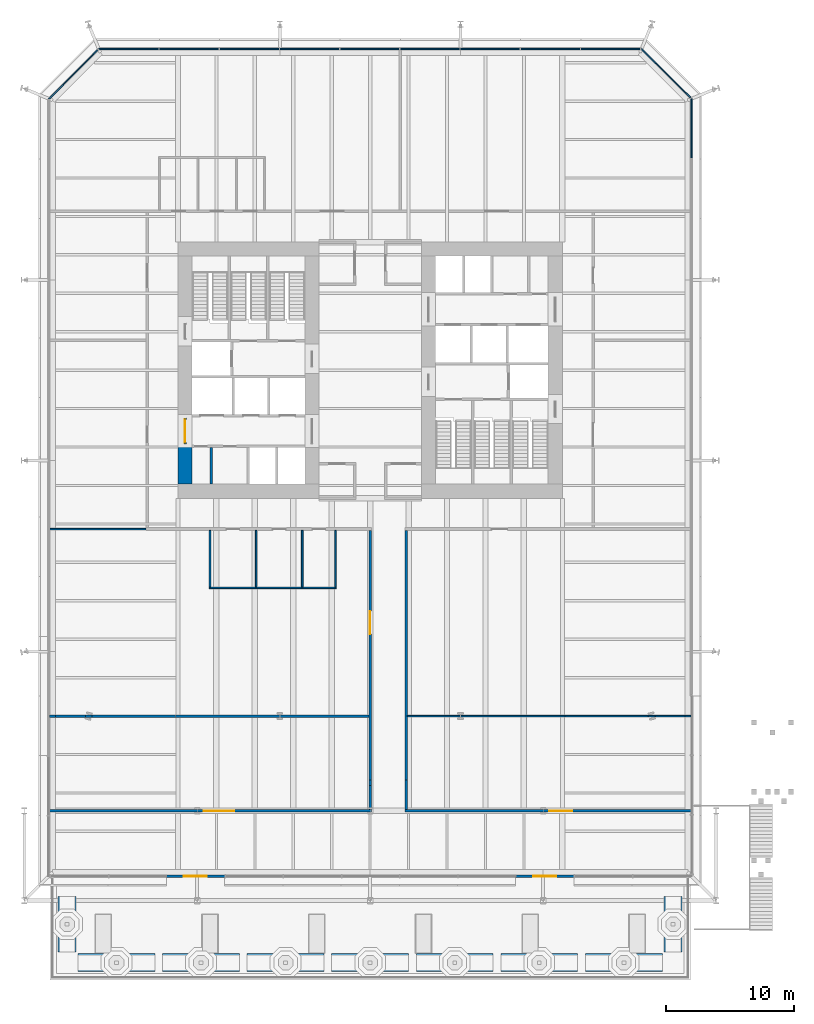
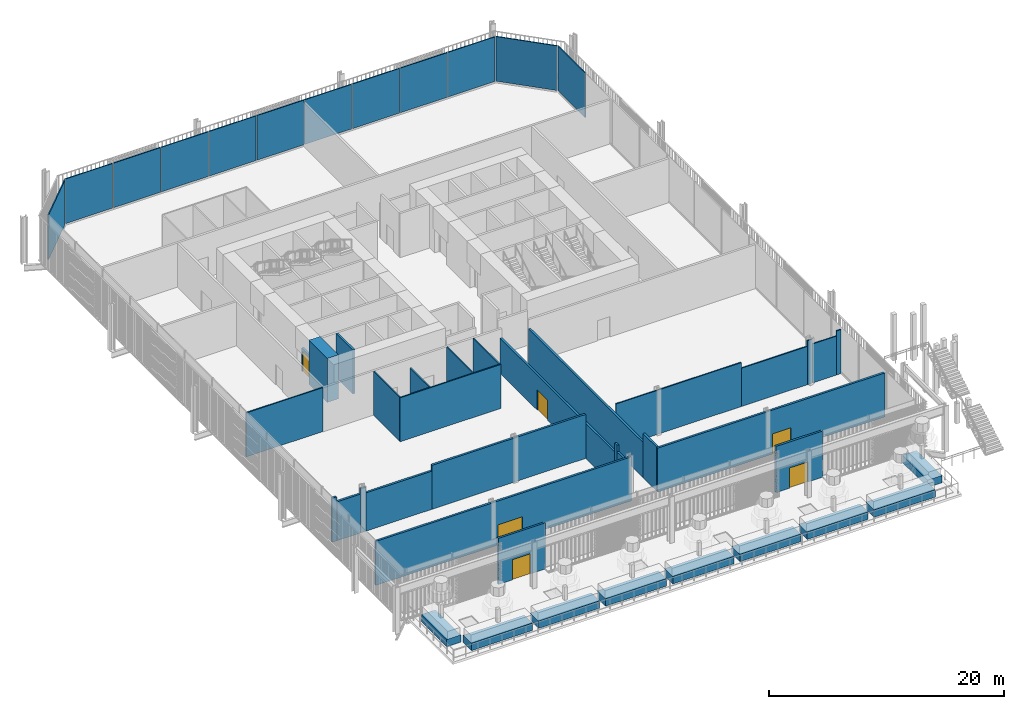
# One storey, part 18 of 25: 37 walls, 12 plates, 6 doors, 6 openings, 4 elements without a shape of their own.
"""IFC4 building model written with IfcOpenShell, lengths in metres."""

from ifc_helpers import new_model, si_unit, direction, frame, frame_2d, origin, place, context, subcontext, project, spatial, polyline, rectangle, outline, extrude, material, layer, layer_set, type_object, element, fill, aggregate, save


model = new_model("IFC4")

# Units and contexts
model_context = context("Model", 3, precision=1e-05, world=origin(), true_north=direction((0.0, 1.0)))
body_context = subcontext(model_context, "Body", "Model", "MODEL_VIEW")
ifc_project = project(units=[si_unit("LENGTHUNIT", "METRE"), si_unit("AREAUNIT", "SQUARE_METRE"), si_unit("VOLUMEUNIT", "CUBIC_METRE"), si_unit("PLANEANGLEUNIT", "RADIAN"), si_unit("MASSUNIT", "GRAM", prefix="KILO")], contexts=[model_context])

# Site, building, storey
site_placement = place(None, origin())
site = spatial("IfcSite", under=ifc_project, at=site_placement, CompositionType="ELEMENT")
building_placement = place(site_placement, origin())
building = spatial("IfcBuilding", under=site, at=building_placement, Name="Millrace Tower", CompositionType="ELEMENT")
storey_placement = place(building_placement, frame((0.0, 0.0, 6.5)))
storey = spatial("IfcBuildingStorey", under=building, at=storey_placement, Name="L02", CompositionType="ELEMENT", Elevation=6.5)

# Curtain wall, plate
ifc_material_1 = material(Name="Aluminium and glass", Category="aluminium")
ifc_layer_1 = layer(ifc_material_1, 0.14990234375)
ifc_layer_set_1 = layer_set([ifc_layer_1], Name="Aluminium and glass")
curtain_wall_type = type_object("IfcCurtainWallType", Name="CW-2 data hall insulated curtain wall", PredefinedType="NOTDEFINED", material=ifc_layer_set_1)
placement_1 = place(storey_placement, origin())
curtain_wall_1 = element("IfcCurtainWall", 1, at=placement_1, inside=storey, type_object=curtain_wall_type, Name="Curtain wall AW2-F02 L02 CW2", PredefinedType="NOTDEFINED")
ifc_material_2 = material(Name="Glass", Category="glass")
ifc_layer_2 = layer(ifc_material_2, 0.10009765625)
ifc_layer_set_2 = layer_set([ifc_layer_2], Name="Glass")
plate_type = type_object("IfcPlateType", Name="CW-2 data hall insulated curtain wall insulated cassette with vision slot", PredefinedType="CURTAIN_PANEL", material=ifc_layer_set_2)
placement_2 = place(storey_placement, frame((0.0, 0.0, 0.159912109375)))
plate_1 = element("IfcPlate", 2, at=placement_2, type_object=plate_type, Name="CW2 panel AW2-F02.13", PredefinedType="CURTAIN_PANEL", context=body_context, shape_type="SweptSolid", body=[
    extrude(outline(polyline([(25.125, 16.557373046875), (25.125, 21.20166015625), (25.02490234375, 21.160400390625), (25.02490234375, 16.557373046875), (25.125, 16.557373046875)])), origin(), (0.0, 0.0, 1.0), 4.64013671875),
])
aggregate(curtain_wall_1, [plate_1])

curtain_wall_2 = element("IfcCurtainWall", 3, at=placement_1, inside=storey, type_object=curtain_wall_type, Name="Curtain wall AW2-F03 L02", PredefinedType="NOTDEFINED")
plate_2 = element("IfcPlate", 4, at=placement_2, type_object=plate_type, Name="CW2 panel AW2-F03.1", PredefinedType="CURTAIN_PANEL", context=body_context, shape_type="SweptSolid", body=[
    extrude(outline(polyline([(25.04248046875, 21.284423828125), (21.20166015625, 25.125), (21.160400390625, 25.02490234375), (24.9716796875, 21.213623046875), (25.04248046875, 21.284423828125)])), origin(), (0.0, 0.0, 1.0), 4.64013671875),
])
aggregate(curtain_wall_2, [plate_2])

# Curtain wall, plates
curtain_wall_3 = element("IfcCurtainWall", 5, at=placement_1, inside=storey, type_object=curtain_wall_type, Name="Curtain wall AW2-F04 L02", PredefinedType="NOTDEFINED")
plate_3 = element("IfcPlate", 6, at=placement_2, type_object=plate_type, Name="CW2 panel AW2-F04.1", PredefinedType="CURTAIN_PANEL", context=body_context, shape_type="SweptSolid", body=[
    extrude(outline(polyline([(21.0849609375, 25.125), (16.449951171875, 25.125), (16.449951171875, 25.02490234375), (21.0849609375, 25.02490234375), (21.0849609375, 25.125)])), origin(), (0.0, 0.0, 1.0), 4.64013671875),
])
plate_4 = element("IfcPlate", 7, at=placement_2, type_object=plate_type, Name="CW2 panel AW2-F04.2", PredefinedType="CURTAIN_PANEL", context=body_context, shape_type="SweptSolid", body=[
    extrude(outline(polyline([(16.385009765625, 25.125), (11.75, 25.125), (11.75, 25.02490234375), (16.385009765625, 25.02490234375), (16.385009765625, 25.125)])), origin(), (0.0, 0.0, 1.0), 4.64013671875),
])
plate_5 = element("IfcPlate", 8, at=placement_2, type_object=plate_type, Name="CW2 panel AW2-F04.3", PredefinedType="CURTAIN_PANEL", context=body_context, shape_type="SweptSolid", body=[
    extrude(outline(polyline([(11.68505859375, 25.125), (7.050048828125, 25.125), (7.050048828125, 25.02490234375), (11.68505859375, 25.02490234375), (11.68505859375, 25.125)])), origin(), (0.0, 0.0, 1.0), 4.64013671875),
])
plate_6 = element("IfcPlate", 9, at=placement_2, type_object=plate_type, Name="CW2 panel AW2-F04.4", PredefinedType="CURTAIN_PANEL", context=body_context, shape_type="SweptSolid", body=[
    extrude(outline(polyline([(6.985107421875, 25.125), (2.35009765625, 25.125), (2.35009765625, 25.02490234375), (6.985107421875, 25.02490234375), (6.985107421875, 25.125)])), origin(), (0.0, 0.0, 1.0), 4.64013671875),
])
plate_7 = element("IfcPlate", 10, at=placement_2, type_object=plate_type, Name="CW2 panel AW2-F04.5", PredefinedType="CURTAIN_PANEL", context=body_context, shape_type="SweptSolid", body=[
    extrude(outline(polyline([(2.284912109375, 25.125), (-2.35009765625, 25.125), (-2.35009765625, 25.02490234375), (2.284912109375, 25.02490234375), (2.284912109375, 25.125)])), origin(), (0.0, 0.0, 1.0), 4.64013671875),
])
plate_8 = element("IfcPlate", 11, at=placement_2, type_object=plate_type, Name="CW2 panel AW2-F04.6", PredefinedType="CURTAIN_PANEL", context=body_context, shape_type="SweptSolid", body=[
    extrude(outline(polyline([(-2.4150390625, 25.125), (-7.050048828125, 25.125), (-7.050048828125, 25.02490234375), (-2.4150390625, 25.02490234375), (-2.4150390625, 25.125)])), origin(), (0.0, 0.0, 1.0), 4.64013671875),
])
plate_9 = element("IfcPlate", 12, at=placement_2, type_object=plate_type, Name="CW2 panel AW2-F04.7", PredefinedType="CURTAIN_PANEL", context=body_context, shape_type="SweptSolid", body=[
    extrude(outline(polyline([(-7.114990234375, 25.125), (-11.75, 25.125), (-11.75, 25.02490234375), (-7.114990234375, 25.02490234375), (-7.114990234375, 25.125)])), origin(), (0.0, 0.0, 1.0), 4.64013671875),
])
plate_10 = element("IfcPlate", 13, at=placement_2, type_object=plate_type, Name="CW2 panel AW2-F04.8", PredefinedType="CURTAIN_PANEL", context=body_context, shape_type="SweptSolid", body=[
    extrude(outline(polyline([(-11.81494140625, 25.125), (-16.449951171875, 25.125), (-16.449951171875, 25.02490234375), (-11.81494140625, 25.02490234375), (-11.81494140625, 25.125)])), origin(), (0.0, 0.0, 1.0), 4.64013671875),
])
plate_11 = element("IfcPlate", 14, at=placement_2, type_object=plate_type, Name="CW2 panel AW2-F04.9", PredefinedType="CURTAIN_PANEL", context=body_context, shape_type="SweptSolid", body=[
    extrude(outline(polyline([(-16.514892578125, 25.125), (-21.20166015625, 25.125), (-21.160400390625, 25.02490234375), (-16.514892578125, 25.02490234375), (-16.514892578125, 25.125)])), origin(), (0.0, 0.0, 1.0), 4.64013671875),
])
aggregate(curtain_wall_3, [plate_3, plate_4, plate_5, plate_6, plate_7, plate_8, plate_9, plate_10, plate_11])

# Curtain wall, plate
curtain_wall_4 = element("IfcCurtainWall", 15, at=placement_1, inside=storey, type_object=curtain_wall_type, Name="Curtain wall AW2-F05 L02", PredefinedType="NOTDEFINED")
plate_12 = element("IfcPlate", 16, at=placement_2, type_object=plate_type, Name="CW2 panel AW2-F05.1", PredefinedType="CURTAIN_PANEL", context=body_context, shape_type="SweptSolid", body=[
    extrude(outline(polyline([(-21.284423828125, 25.04248046875), (-25.125, 21.20166015625), (-25.02490234375, 21.160400390625), (-21.213623046875, 24.9716796875), (-21.284423828125, 25.04248046875)])), origin(), (0.0, 0.0, 1.0), 4.64013671875),
])
aggregate(curtain_wall_4, [plate_12])

# Wall
ifc_material_3 = material(Name="Concrete C80", Category="concrete")
ifc_layer_3 = layer(ifc_material_3, 1.10009765625)
ifc_layer_set_3 = layer_set([ifc_layer_3], Name="Concrete C80")
wall_type_1 = type_object("IfcWallType", Name="Core wall 1100 Concrete C80", PredefinedType="SHEAR", material=ifc_layer_set_3)
wall_1_placement = place(storey_placement, frame((-14.449951171875, -8.89990234375, 0.0), z_axis=(0.0, 0.0, 1.0), x_axis=(0.0, 1.0, 0.0)))
element("IfcWall", 17, at=wall_1_placement, inside=storey, type_object=wall_type_1, Name="Core wall W L02", PredefinedType="SHEAR", context=body_context, shape_type="SweptSolid", body=[
    extrude(rectangle(XDim=3.14990234375, YDim=1.10009765625, at=frame_2d((1.574951171875, 0.0))), origin(), (0.0, 0.0, 1.0), 4.574951171875),
])

# Wall, opening, door
ifc_material_4 = material(Name="Masonry partition, fire-rated", Category="masonry")
ifc_layer_4 = layer(ifc_material_4, 0.199951171875)
ifc_layer_set_4 = layer_set([ifc_layer_4], Name="Masonry partition, fire-rated")
wall_type_2 = type_object("IfcWallType", Name="Corridor wall 200", PredefinedType="PARTITIONING", material=ifc_layer_set_4)
wall_2_placement = place(storey_placement, frame((-25.030029296875, -34.39990234375, 0.0), z_axis=(0.0, 0.0, 1.0), x_axis=(1.0, 0.0, 0.0)))
wall_2 = element("IfcWall", 18, at=wall_2_placement, inside=storey, type_object=wall_type_2, Name="Corridor wall L02", PredefinedType="PARTITIONING", context=body_context, shape_type="SweptSolid", body=[
    extrude(rectangle(XDim=25.130126953125, YDim=0.199951171875, at=frame_2d((12.56494140625, 0.0))), origin(), (0.0, 0.0, 1.0), 4.574951171875),
])
opening_1_placement = place(wall_2_placement, frame((12.0400390625, 0.0, 0.0)))
opening_1 = element("IfcOpeningElement", 19, at=opening_1_placement, cuts=wall_2, Name="Opening 02-P014", PredefinedType="OPENING", context=body_context, shape_type="SweptSolid", body=[
    extrude(rectangle(XDim=2.39990234375, YDim=2.10009765625, at=frame_2d((1.199951171875, 1.050048828125))), frame((0.0, 0.10986328125, 0.0), z_axis=(0.0, -1.0, 0.0), x_axis=(1.0, 0.0, 0.0)), (0.0, 0.0, 1.0), 0.219970703125),
])
ifc_material_5 = material(Name="Steel door set, fire-rated", Category="steel")
door_type_1 = type_object("IfcDoorType", Name="Corridor door 2400 x 2100", OperationType="DOUBLE_DOOR_SINGLE_SWING", PredefinedType="DOOR", material=ifc_material_5)
door_1_placement = place(opening_1_placement, frame((2.39990234375, 0.0, 0.0), z_axis=(0.0, 0.0, 1.0), x_axis=(-1.0, 0.0, 0.0)))
door_1 = element("IfcDoor", 20, at=door_1_placement, inside=storey, type_object=door_type_1, Name="Door 02-P014", OperationType="DOUBLE_DOOR_SINGLE_SWING", OverallHeight=2.10009765625, OverallWidth=2.39990234375, PredefinedType="DOOR", context=body_context, shape_type="SweptSolid", body=[
    extrude(rectangle(XDim=2.39990234375, YDim=2.10009765625, at=frame_2d((1.199951171875, 1.050048828125))), frame((0.0, 0.02490234375, 0.0), z_axis=(0.0, -1.0, 0.0), x_axis=(1.0, 0.0, 0.0)), (0.0, 0.0, 1.0), 0.050048828125),
])
fill(opening_1, door_1)

wall_3_placement = place(storey_placement, frame((2.699951171875, -34.39990234375, 0.0), z_axis=(0.0, 0.0, 1.0), x_axis=(1.0, 0.0, 0.0)))
wall_3 = element("IfcWall", 21, at=wall_3_placement, inside=storey, type_object=wall_type_2, Name="Corridor wall L02", PredefinedType="PARTITIONING", context=body_context, shape_type="SweptSolid", body=[
    extrude(rectangle(XDim=22.330078125, YDim=0.199951171875, at=frame_2d((11.1650390625, 0.0))), origin(), (0.0, 0.0, 1.0), 4.574951171875),
])
opening_2_placement = place(wall_3_placement, frame((11.2900390625, 0.0, 0.0)))
opening_2 = element("IfcOpeningElement", 22, at=opening_2_placement, cuts=wall_3, Name="Opening 02-P019", PredefinedType="OPENING", context=body_context, shape_type="SweptSolid", body=[
    extrude(rectangle(XDim=1.800048828125, YDim=2.10009765625, at=frame_2d((0.89990234375, 1.050048828125))), frame((0.0, 0.10986328125, 0.0), z_axis=(0.0, -1.0, 0.0), x_axis=(1.0, 0.0, 0.0)), (0.0, 0.0, 1.0), 0.219970703125),
])
ifc_material_6 = material(Name="Steel door set, fire-rated", Category="steel")
door_type_2 = type_object("IfcDoorType", Name="Corridor door 1800 x 2100", OperationType="DOUBLE_DOOR_SINGLE_SWING", PredefinedType="DOOR", material=ifc_material_6)
door_2_placement = place(opening_2_placement, frame((1.800048828125, 0.0, 0.0), z_axis=(0.0, 0.0, 1.0), x_axis=(-1.0, 0.0, 0.0)))
door_2 = element("IfcDoor", 23, at=door_2_placement, inside=storey, type_object=door_type_2, Name="Door 02-P019", OperationType="DOUBLE_DOOR_SINGLE_SWING", OverallHeight=2.10009765625, OverallWidth=1.800048828125, PredefinedType="DOOR", context=body_context, shape_type="SweptSolid", body=[
    extrude(rectangle(XDim=1.800048828125, YDim=2.10009765625, at=frame_2d((0.89990234375, 1.050048828125))), frame((0.0, 0.02490234375, 0.0), z_axis=(0.0, -1.0, 0.0), x_axis=(1.0, 0.0, 0.0)), (0.0, 0.0, 1.0), 0.050048828125),
])
fill(opening_2, door_2)

# Walls
wall_4_placement = place(storey_placement, frame((-25.030029296875, -27.0, 0.0), z_axis=(0.0, 0.0, 1.0), x_axis=(1.0, 0.0, 0.0)))
element("IfcWall", 24, at=wall_4_placement, inside=storey, type_object=wall_type_2, Name="Corridor wall L02", PredefinedType="PARTITIONING", context=body_context, shape_type="SweptSolid", body=[
    extrude(rectangle(XDim=0.45166015625, YDim=0.199951171875, at=frame_2d((0.225830078125, 0.0))), origin(), (0.0, 0.0, 1.0), 4.574951171875),
])
wall_5_placement = place(storey_placement, frame((-24.578369140625, -27.0, 0.0), z_axis=(0.0, 0.0, 1.0), x_axis=(1.0, 0.0, 0.0)))
element("IfcWall", 25, at=wall_5_placement, inside=storey, type_object=wall_type_2, Name="Corridor wall L02", PredefinedType="PARTITIONING", context=body_context, shape_type="SweptSolid", body=[
    extrude(rectangle(XDim=2.343994140625, YDim=0.199951171875, at=frame_2d((1.171875, 0.0))), origin(), (0.0, 0.0, 1.0), 4.04931640625),
])
wall_6_placement = place(storey_placement, frame((-22.234375, -27.0, 0.0), z_axis=(0.0, 0.0, 1.0), x_axis=(1.0, 0.0, 0.0)))
element("IfcWall", 26, at=wall_6_placement, inside=storey, type_object=wall_type_2, Name="Corridor wall L02", PredefinedType="PARTITIONING", context=body_context, shape_type="SweptSolid", body=[
    extrude(rectangle(XDim=0.515869140625, YDim=0.199951171875, at=frame_2d((0.2578125, 0.0))), origin(), (0.0, 0.0, 1.0), 4.574951171875),
])
wall_7_placement = place(storey_placement, frame((-21.718505859375, -27.0, 0.0), z_axis=(0.0, 0.0, 1.0), x_axis=(1.0, 0.0, 0.0)))
element("IfcWall", 27, at=wall_7_placement, inside=storey, type_object=wall_type_2, Name="Corridor wall L02", PredefinedType="PARTITIONING", context=body_context, shape_type="SweptSolid", body=[
    extrude(rectangle(XDim=6.50634765625, YDim=0.199951171875, at=frame_2d((3.253173828125, 0.0))), origin(), (0.0, 0.0, 1.0), 3.9755859375),
])
wall_8_placement = place(storey_placement, frame((-15.212158203125, -27.0, 0.0), z_axis=(0.0, 0.0, 1.0), x_axis=(1.0, 0.0, 0.0)))
element("IfcWall", 28, at=wall_8_placement, inside=storey, type_object=wall_type_2, Name="Corridor wall L02", PredefinedType="PARTITIONING", context=body_context, shape_type="SweptSolid", body=[
    extrude(rectangle(XDim=15.112060546875, YDim=0.199951171875, at=frame_2d((7.55615234375, 0.0))), origin(), (0.0, 0.0, 1.0), 4.574951171875),
])
wall_9_placement = place(storey_placement, frame((2.800048828125, -34.300048828125, 0.0), z_axis=(0.0, 0.0, 1.0), x_axis=(0.0, 1.0, 0.0)))
element("IfcWall", 29, at=wall_9_placement, inside=storey, type_object=wall_type_2, Name="Corridor wall L02", PredefinedType="PARTITIONING", context=body_context, shape_type="SweptSolid", body=[
    extrude(rectangle(XDim=2.32177734375, YDim=0.199951171875, at=frame_2d((1.160888671875, 0.0))), origin(), (0.0, 0.0, 1.0), 4.574951171875),
])
wall_10_placement = place(storey_placement, frame((2.800048828125, -31.978271484375, 0.0), z_axis=(0.0, 0.0, 1.0), x_axis=(0.0, 1.0, 0.0)))
element("IfcWall", 30, at=wall_10_placement, inside=storey, type_object=wall_type_2, Name="Corridor wall L02", PredefinedType="PARTITIONING", context=body_context, shape_type="SweptSolid", body=[
    extrude(rectangle(XDim=19.478271484375, YDim=0.199951171875, at=frame_2d((9.7392578125, 0.0))), origin(), (0.0, 0.0, 1.0), 3.64794921875),
])
wall_11_placement = place(storey_placement, frame((0.0, -34.300048828125, 0.0), z_axis=(0.0, 0.0, 1.0), x_axis=(0.0, 1.0, 0.0)))
element("IfcWall", 31, at=wall_11_placement, inside=storey, type_object=wall_type_2, Name="Corridor wall L02", PredefinedType="PARTITIONING", context=body_context, shape_type="SweptSolid", body=[
    extrude(rectangle(XDim=1.900146484375, YDim=0.199951171875, at=frame_2d((0.9501953125, 0.0))), origin(), (0.0, 0.0, 1.0), 3.892822265625),
])
wall_12_placement = place(storey_placement, frame((0.0, -32.39990234375, 0.0), z_axis=(0.0, 0.0, 1.0), x_axis=(0.0, 1.0, 0.0)))
element("IfcWall", 32, at=wall_12_placement, inside=storey, type_object=wall_type_2, Name="Corridor wall L02", PredefinedType="PARTITIONING", context=body_context, shape_type="SweptSolid", body=[
    extrude(rectangle(XDim=0.421630859375, YDim=0.199951171875, at=frame_2d((0.2109375, 0.0))), origin(), (0.0, 0.0, 1.0), 4.574951171875),
])

# Wall, opening, door
wall_13_placement = place(storey_placement, frame((0.0, -31.978271484375, 0.0), z_axis=(0.0, 0.0, 1.0), x_axis=(0.0, 1.0, 0.0)))
wall_13 = element("IfcWall", 33, at=wall_13_placement, inside=storey, type_object=wall_type_2, Name="Corridor wall L02", PredefinedType="PARTITIONING", context=body_context, shape_type="SweptSolid", body=[
    extrude(rectangle(XDim=19.478271484375, YDim=0.199951171875, at=frame_2d((9.7392578125, 0.0))), origin(), (0.0, 0.0, 1.0), 3.64794921875),
])
opening_3_placement = place(wall_13_placement, frame((11.37841796875, 0.0, 0.0)))
opening_3 = element("IfcOpeningElement", 34, at=opening_3_placement, cuts=wall_13, Name="Opening 02-P015", PredefinedType="OPENING", context=body_context, shape_type="SweptSolid", body=[
    extrude(rectangle(XDim=1.800048828125, YDim=2.10009765625, at=frame_2d((0.89990234375, 1.050048828125))), frame((0.0, 0.10986328125, 0.0), z_axis=(0.0, -1.0, 0.0), x_axis=(1.0, 0.0, 0.0)), (0.0, 0.0, 1.0), 0.219970703125),
])
door_3_placement = place(opening_3_placement, frame((1.800048828125, 0.0, 0.0), z_axis=(0.0, 0.0, 1.0), x_axis=(-1.0, 0.0, 0.0)))
door_3 = element("IfcDoor", 35, at=door_3_placement, inside=storey, type_object=door_type_2, Name="Door 02-P015", OperationType="DOUBLE_DOOR_SINGLE_SWING", OverallHeight=2.10009765625, OverallWidth=1.800048828125, PredefinedType="DOOR", context=body_context, shape_type="SweptSolid", body=[
    extrude(rectangle(XDim=1.800048828125, YDim=2.10009765625, at=frame_2d((0.89990234375, 1.050048828125))), frame((0.0, 0.02490234375, 0.0), z_axis=(0.0, -1.0, 0.0), x_axis=(1.0, 0.0, 0.0)), (0.0, 0.0, 1.0), 0.050048828125),
])
fill(opening_3, door_3)

ifc_material_7 = material(Name="Aluminium framed glazing", Category="aluminium")
ifc_layer_5 = layer(ifc_material_7, 0.199951171875)
ifc_layer_set_5 = layer_set([ifc_layer_5], Name="Aluminium framed glazing")
wall_type_3 = type_object("IfcWallType", Name="Entrance infill wall 200 thick", PredefinedType="STANDARD", material=ifc_layer_set_5)
wall_14_placement = place(storey_placement, frame((-15.9091796875, -39.5, 0.0), z_axis=(0.0, 0.0, 1.0), x_axis=(1.0, 0.0, 0.0)))
wall_14 = element("IfcWall", 36, at=wall_14_placement, inside=storey, type_object=wall_type_3, Name="Entrance infill wall AW2-F01 3", PredefinedType="STANDARD", context=body_context, shape_type="SweptSolid", body=[
    extrude(rectangle(XDim=4.62060546875, YDim=0.199951171875, at=frame_2d((2.310302734375, 0.0))), origin(), (0.0, 0.0, 1.0), 4.800048828125),
])
opening_4_placement = place(wall_14_placement, frame((1.372802734375, 0.0, 0.0)))
opening_4 = element("IfcOpeningElement", 37, at=opening_4_placement, cuts=wall_14, Name="Opening 02-X001", PredefinedType="OPENING", context=body_context, shape_type="SweptSolid", body=[
    extrude(rectangle(XDim=1.800048828125, YDim=2.10009765625, at=frame_2d((0.89990234375, 1.050048828125))), frame((0.0, 0.10986328125, 0.0), z_axis=(0.0, -1.0, 0.0), x_axis=(1.0, 0.0, 0.0)), (0.0, 0.0, 1.0), 0.219970703125),
])
ifc_material_8 = material(Name="Aluminium and glass", Category="aluminium")
door_type_3 = type_object("IfcDoorType", Name="Cascade terrace double door", OperationType="DOUBLE_DOOR_DOUBLE_SWING", PredefinedType="DOOR", material=ifc_material_8)
door_4_placement = place(opening_4_placement, frame((1.800048828125, 0.0, 0.0), z_axis=(0.0, 0.0, 1.0), x_axis=(-1.0, 0.0, 0.0)))
door_4 = element("IfcDoor", 38, at=door_4_placement, inside=storey, type_object=door_type_3, Name="02-X001", OperationType="DOUBLE_DOOR_DOUBLE_SWING", OverallHeight=2.10009765625, OverallWidth=1.800048828125, PredefinedType="DOOR", context=body_context, shape_type="SweptSolid", body=[
    extrude(rectangle(XDim=1.800048828125, YDim=2.10009765625, at=frame_2d((0.89990234375, 1.050048828125))), frame((0.0, 0.02490234375, 0.0), z_axis=(0.0, -1.0, 0.0), x_axis=(1.0, 0.0, 0.0)), (0.0, 0.0, 1.0), 0.050048828125),
])
fill(opening_4, door_4)

wall_15_placement = place(storey_placement, frame((11.363525390625, -39.5, 0.0), z_axis=(0.0, 0.0, 1.0), x_axis=(1.0, 0.0, 0.0)))
wall_15 = element("IfcWall", 39, at=wall_15_placement, inside=storey, type_object=wall_type_3, Name="Entrance infill wall AW2-F01 9", PredefinedType="STANDARD", context=body_context, shape_type="SweptSolid", body=[
    extrude(rectangle(XDim=4.62060546875, YDim=0.199951171875, at=frame_2d((2.310302734375, 0.0))), origin(), (0.0, 0.0, 1.0), 4.800048828125),
])
opening_5_placement = place(wall_15_placement, frame((1.372802734375, 0.0, 0.0)))
opening_5 = element("IfcOpeningElement", 40, at=opening_5_placement, cuts=wall_15, Name="Opening 02-X002", PredefinedType="OPENING", context=body_context, shape_type="SweptSolid", body=[
    extrude(rectangle(XDim=1.800048828125, YDim=2.10009765625, at=frame_2d((0.89990234375, 1.050048828125))), frame((0.0, 0.10986328125, 0.0), z_axis=(0.0, -1.0, 0.0), x_axis=(1.0, 0.0, 0.0)), (0.0, 0.0, 1.0), 0.219970703125),
])
door_5_placement = place(opening_5_placement, frame((1.800048828125, 0.0, 0.0), z_axis=(0.0, 0.0, 1.0), x_axis=(-1.0, 0.0, 0.0)))
door_5 = element("IfcDoor", 41, at=door_5_placement, inside=storey, type_object=door_type_3, Name="02-X002", OperationType="DOUBLE_DOOR_DOUBLE_SWING", OverallHeight=2.10009765625, OverallWidth=1.800048828125, PredefinedType="DOOR", context=body_context, shape_type="SweptSolid", body=[
    extrude(rectangle(XDim=1.800048828125, YDim=2.10009765625, at=frame_2d((0.89990234375, 1.050048828125))), frame((0.0, 0.02490234375, 0.0), z_axis=(0.0, -1.0, 0.0), x_axis=(1.0, 0.0, 0.0)), (0.0, 0.0, 1.0), 0.050048828125),
])
fill(opening_5, door_5)

ifc_material_9 = material(Name="Masonry partition, fire-rated", Category="masonry")
ifc_layer_6 = layer(ifc_material_9, 0.199951171875)
ifc_layer_set_6 = layer_set([ifc_layer_6], Name="Masonry partition, fire-rated")
wall_type_4 = type_object("IfcWallType", Name="Lobby wall 200", PredefinedType="PARTITIONING", material=ifc_layer_set_6)
wall_16_placement = place(storey_placement, frame((-14.449951171875, -5.75, 0.0), z_axis=(0.0, 0.0, 1.0), x_axis=(0.0, 1.0, 0.0)))
wall_16 = element("IfcWall", 42, at=wall_16_placement, inside=storey, type_object=wall_type_4, Name="Lobby wall W L02", PredefinedType="PARTITIONING", context=body_context, shape_type="SweptSolid", body=[
    extrude(rectangle(XDim=2.0, YDim=0.199951171875, at=frame_2d((1.0, 0.0))), origin(), (0.0, 0.0, 1.0), 2.39990234375),
])
opening_6_placement = place(wall_16_placement, frame((0.10009765625, 0.0, 0.0)))
opening_6 = element("IfcOpeningElement", 43, at=opening_6_placement, cuts=wall_16, Name="Opening 02-C001", PredefinedType="OPENING", context=body_context, shape_type="SweptSolid", body=[
    extrude(rectangle(XDim=1.800048828125, YDim=2.10009765625, at=frame_2d((0.89990234375, 1.050048828125))), frame((0.0, 0.10986328125, 0.0), z_axis=(0.0, -1.0, 0.0), x_axis=(1.0, 0.0, 0.0)), (0.0, 0.0, 1.0), 0.219970703125),
])
ifc_material_10 = material(Name="Steel door, fire-rated", Category="steel")
door_type_4 = type_object("IfcDoorType", Name="Lobby door 1800 x 2100", OperationType="DOUBLE_DOOR_SINGLE_SWING", PredefinedType="DOOR", material=ifc_material_10)
door_6_placement = place(opening_6_placement, origin())
door_6 = element("IfcDoor", 44, at=door_6_placement, inside=storey, type_object=door_type_4, Name="Lobby door 02-C001", OperationType="DOUBLE_DOOR_SINGLE_SWING", OverallHeight=2.10009765625, OverallWidth=1.800048828125, PredefinedType="DOOR", context=body_context, shape_type="SweptSolid", body=[
    extrude(rectangle(XDim=1.800048828125, YDim=2.10009765625, at=frame_2d((0.89990234375, 1.050048828125))), frame((0.0, 0.02490234375, 0.0), z_axis=(0.0, -1.0, 0.0), x_axis=(1.0, 0.0, 0.0)), (0.0, 0.0, 1.0), 0.050048828125),
])
fill(opening_6, door_6)

# Walls
ifc_material_11 = material(Name="Concrete C40", Category="concrete")
ifc_layer_7 = layer(ifc_material_11, 1.39990234375)
ifc_layer_set_7 = layer_set([ifc_layer_7], Name="Concrete C40")
wall_type_5 = type_object("IfcWallType", Name="PLANTER raised bed 760 high x 1400 thick", PredefinedType="STANDARD", material=ifc_layer_set_7)
wall_17_placement = place(storey_placement, frame((-23.64990234375, -41.10009765625, 0.0), z_axis=(0.0, 0.0, 1.0), x_axis=(0.0, -1.0, 0.0)))
element("IfcWall", 45, at=wall_17_placement, inside=storey, type_object=wall_type_5, Name="PLANTER raised bed CT-L01-1 1.0.0", PredefinedType="STANDARD", context=body_context, shape_type="SweptSolid", body=[
    extrude(rectangle(XDim=4.2998046875, YDim=1.39990234375, at=frame_2d((2.14990234375, 0.0))), origin(), (0.0, 0.0, 1.0), 0.760009765625),
])
for number, where, z_axis, x_axis, name in (
    (46, (-22.800048828125, -46.25, 0.0), (0.0, 0.0, 1.0), (1.0, 0.0, 0.0), "PLANTER raised bed CT-L01-1 1.1.0"),
    (47, (-16.199951171875, -46.25, 0.0), (0.0, 0.0, 1.0), (1.0, 0.0, 0.0), "PLANTER raised bed CT-L01-1 1.1.1"),
    (48, (-9.60009765625, -46.25, 0.0), (0.0, 0.0, 1.0), (1.0, 0.0, 0.0), "PLANTER raised bed CT-L01-1 1.1.2"),
    (49, (-3.0, -46.25, 0.0), (0.0, 0.0, 1.0), (1.0, 0.0, 0.0), "PLANTER raised bed CT-L01-1 1.1.3"),
    (50, (3.60009765625, -46.25, 0.0), (0.0, 0.0, 1.0), (1.0, 0.0, 0.0), "PLANTER raised bed CT-L01-1 1.1.4"),
    (51, (10.199951171875, -46.25, 0.0), (0.0, 0.0, 1.0), (1.0, 0.0, 0.0), "PLANTER raised bed CT-L01-1 1.1.5"),
    (52, (16.800048828125, -46.25, 0.0), (0.0, 0.0, 1.0), (1.0, 0.0, 0.0), "PLANTER raised bed CT-L01-1 1.1.6"),
):
    element("IfcWall", number, at=place(storey_placement, frame(where, z_axis=z_axis, x_axis=x_axis)), inside=storey, type_object=wall_type_5, Name=name, PredefinedType="STANDARD", context=body_context, shape_type="SweptSolid", body=[
        extrude(rectangle(XDim=6.0, YDim=1.39990234375, at=frame_2d((3.0, 0.0))), origin(), (0.0, 0.0, 1.0), 0.760009765625),
    ])
wall_18_placement = place(storey_placement, frame((23.64990234375, -45.39990234375, 0.0), z_axis=(0.0, 0.0, 1.0), x_axis=(0.0, 1.0, 0.0)))
element("IfcWall", 53, at=wall_18_placement, inside=storey, type_object=wall_type_5, Name="PLANTER raised bed CT-L01-1 1.2.0", PredefinedType="STANDARD", context=body_context, shape_type="SweptSolid", body=[
    extrude(rectangle(XDim=4.2998046875, YDim=1.39990234375, at=frame_2d((2.14990234375, 0.0))), origin(), (0.0, 0.0, 1.0), 0.760009765625),
])
ifc_material_12 = material(Name="Gypsum board partition")
ifc_layer_8 = layer(ifc_material_12, 0.1201171875)
ifc_layer_set_8 = layer_set([ifc_layer_8], Name="Gypsum board partition")
wall_type_6 = type_object("IfcWallType", Name="Partition wall 120", PredefinedType="PARTITIONING", material=ifc_layer_set_8)
wall_19_placement = place(storey_placement, frame((2.89990234375, -27.0, 0.0), z_axis=(0.0, 0.0, 1.0), x_axis=(1.0, 0.0, 0.0)))
element("IfcWall", 54, at=wall_19_placement, inside=storey, type_object=wall_type_6, Name="Partition wall L02", PredefinedType="PARTITIONING", context=body_context, shape_type="SweptSolid", body=[
    extrude(rectangle(XDim=12.312255859375, YDim=0.1201171875, at=frame_2d((6.15625, 0.0))), origin(), (0.0, 0.0, 1.0), 4.574951171875),
])
wall_20_placement = place(storey_placement, frame((15.212158203125, -27.0, 0.0), z_axis=(0.0, 0.0, 1.0), x_axis=(1.0, 0.0, 0.0)))
element("IfcWall", 55, at=wall_20_placement, inside=storey, type_object=wall_type_6, Name="Partition wall L02", PredefinedType="PARTITIONING", context=body_context, shape_type="SweptSolid", body=[
    extrude(rectangle(XDim=6.50634765625, YDim=0.1201171875, at=frame_2d((3.253173828125, 0.0))), origin(), (0.0, 0.0, 1.0), 3.9755859375),
])
wall_21_placement = place(storey_placement, frame((21.718505859375, -27.0, 0.0), z_axis=(0.0, 0.0, 1.0), x_axis=(1.0, 0.0, 0.0)))
element("IfcWall", 56, at=wall_21_placement, inside=storey, type_object=wall_type_6, Name="Partition wall L02", PredefinedType="PARTITIONING", context=body_context, shape_type="SweptSolid", body=[
    extrude(rectangle(XDim=0.515869140625, YDim=0.1201171875, at=frame_2d((0.2578125, 0.0))), origin(), (0.0, 0.0, 1.0), 4.574951171875),
])
wall_22_placement = place(storey_placement, frame((22.234375, -27.0, 0.0), z_axis=(0.0, 0.0, 1.0), x_axis=(1.0, 0.0, 0.0)))
element("IfcWall", 57, at=wall_22_placement, inside=storey, type_object=wall_type_6, Name="Partition wall L02", PredefinedType="PARTITIONING", context=body_context, shape_type="SweptSolid", body=[
    extrude(rectangle(XDim=2.343994140625, YDim=0.1201171875, at=frame_2d((1.171875, 0.0))), origin(), (0.0, 0.0, 1.0), 4.04931640625),
])
wall_23_placement = place(storey_placement, frame((24.578369140625, -27.0, 0.0), z_axis=(0.0, 0.0, 1.0), x_axis=(1.0, 0.0, 0.0)))
element("IfcWall", 58, at=wall_23_placement, inside=storey, type_object=wall_type_6, Name="Partition wall L02", PredefinedType="PARTITIONING", context=body_context, shape_type="SweptSolid", body=[
    extrude(rectangle(XDim=0.45166015625, YDim=0.1201171875, at=frame_2d((0.225830078125, 0.0))), origin(), (0.0, 0.0, 1.0), 4.574951171875),
])
wall_24_placement = place(storey_placement, frame((-12.56005859375, -17.0, 0.0), z_axis=(0.0, 0.0, 1.0), x_axis=(1.0, 0.0, 0.0)))
element("IfcWall", 59, at=wall_24_placement, inside=storey, type_object=wall_type_6, Name="Partition wall L02", PredefinedType="PARTITIONING", context=body_context, shape_type="SweptSolid", body=[
    extrude(rectangle(XDim=9.920166015625, YDim=0.1201171875, at=frame_2d((4.9599609375, 0.0))), origin(), (0.0, 0.0, 1.0), 4.574951171875),
])
wall_25_placement = place(storey_placement, frame((-25.030029296875, -12.39990234375, 0.0), z_axis=(0.0, 0.0, 1.0), x_axis=(1.0, 0.0, 0.0)))
element("IfcWall", 60, at=wall_25_placement, inside=storey, type_object=wall_type_6, Name="Partition wall L02", PredefinedType="PARTITIONING", context=body_context, shape_type="SweptSolid", body=[
    extrude(rectangle(XDim=7.530029296875, YDim=0.1201171875, at=frame_2d((3.76513671875, 0.0))), origin(), (0.0, 0.0, 1.0), 4.574951171875),
])
for number, where, z_axis, x_axis, name in (
    (61, (-2.699951171875, -16.93994140625, 0.0), (0.0, 0.0, 1.0), (0.0, 1.0, 0.0), "Partition wall L02"),
    (62, (-5.300048828125, -16.93994140625, 0.0), (0.0, 0.0, 1.0), (0.0, 1.0, 0.0), "Partition wall L02"),
):
    element("IfcWall", number, at=place(storey_placement, frame(where, z_axis=z_axis, x_axis=x_axis)), inside=storey, type_object=wall_type_6, Name=name, PredefinedType="PARTITIONING", context=body_context, shape_type="SweptSolid", body=[
        extrude(rectangle(XDim=4.43994140625, YDim=0.1201171875, at=frame_2d((2.219970703125, 0.0))), origin(), (0.0, 0.0, 1.0), 4.574951171875),
    ])
wall_26_placement = place(storey_placement, frame((-8.89990234375, -16.93994140625, 0.0), z_axis=(0.0, 0.0, 1.0), x_axis=(0.0, 1.0, 0.0)))
element("IfcWall", 63, at=wall_26_placement, inside=storey, type_object=wall_type_6, Name="Partition wall L02", PredefinedType="PARTITIONING", context=body_context, shape_type="SweptSolid", body=[
    extrude(rectangle(XDim=4.43994140625, YDim=0.1201171875, at=frame_2d((2.219970703125, 0.0))), origin(), (0.0, 0.0, 1.0), 3.64794921875),
])
wall_27_placement = place(storey_placement, frame((-12.5, -16.93994140625, 0.0), z_axis=(0.0, 0.0, 1.0), x_axis=(0.0, 1.0, 0.0)))
element("IfcWall", 64, at=wall_27_placement, inside=storey, type_object=wall_type_6, Name="Partition wall L02", PredefinedType="PARTITIONING", context=body_context, shape_type="SweptSolid", body=[
    extrude(rectangle(XDim=4.43994140625, YDim=0.1201171875, at=frame_2d((2.219970703125, 0.0))), origin(), (0.0, 0.0, 1.0), 4.574951171875),
])
ifc_material_13 = material(Name="Masonry partition, fire-rated", Category="masonry")
ifc_layer_9 = layer(ifc_material_13, 0.199951171875)
ifc_layer_set_9 = layer_set([ifc_layer_9], Name="Masonry partition, fire-rated")
wall_type_7 = type_object("IfcWallType", Name="Room partition 200", PredefinedType="PARTITIONING", material=ifc_layer_set_9)
wall_28_placement = place(storey_placement, frame((-12.39501953125, -8.89990234375, 0.0), z_axis=(0.0, 0.0, 1.0), x_axis=(0.0, 1.0, 0.0)))
element("IfcWall", 65, at=wall_28_placement, inside=storey, type_object=wall_type_7, Name="Room partition W L02", PredefinedType="PARTITIONING", context=body_context, shape_type="SweptSolid", body=[
    extrude(rectangle(XDim=2.849853515625, YDim=0.199951171875, at=frame_2d((1.4248046875, 0.0))), origin(), (0.0, 0.0, 1.0), 4.574951171875),
])

save(model, "model.ifc")
